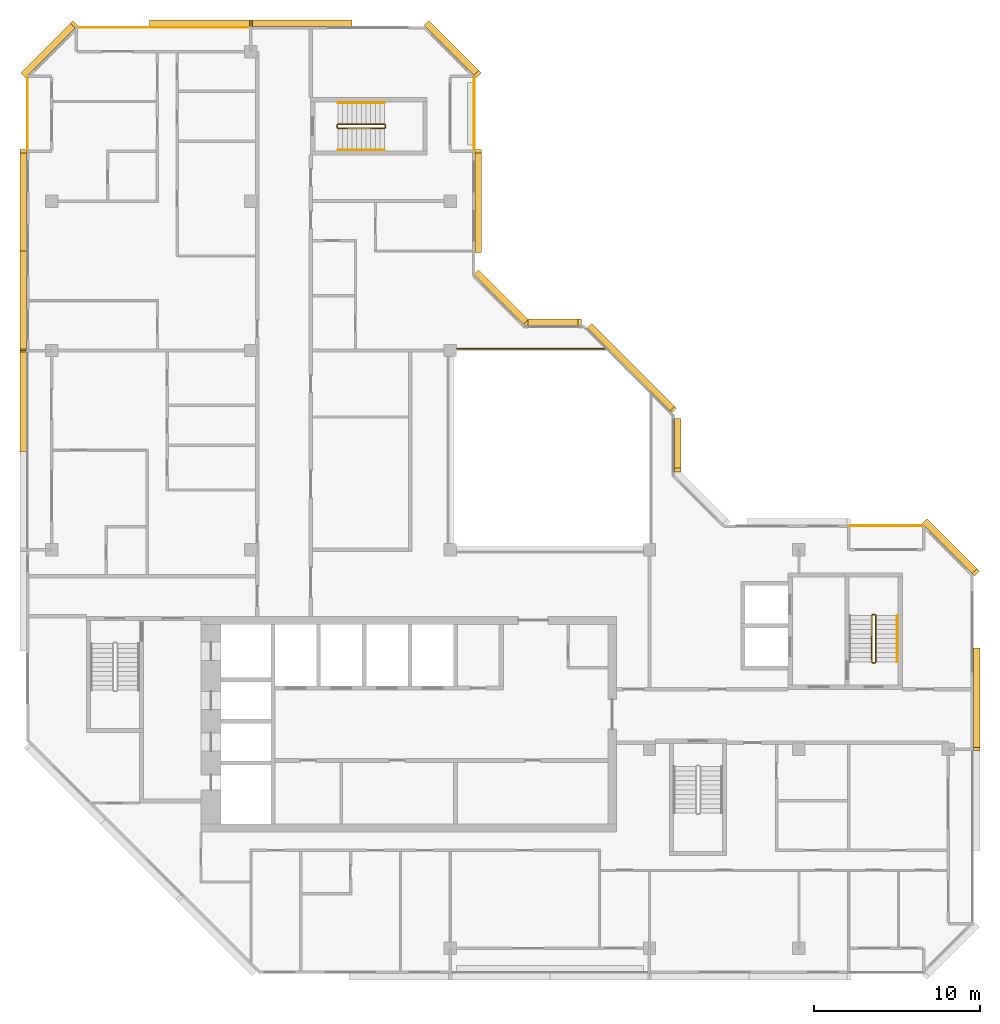
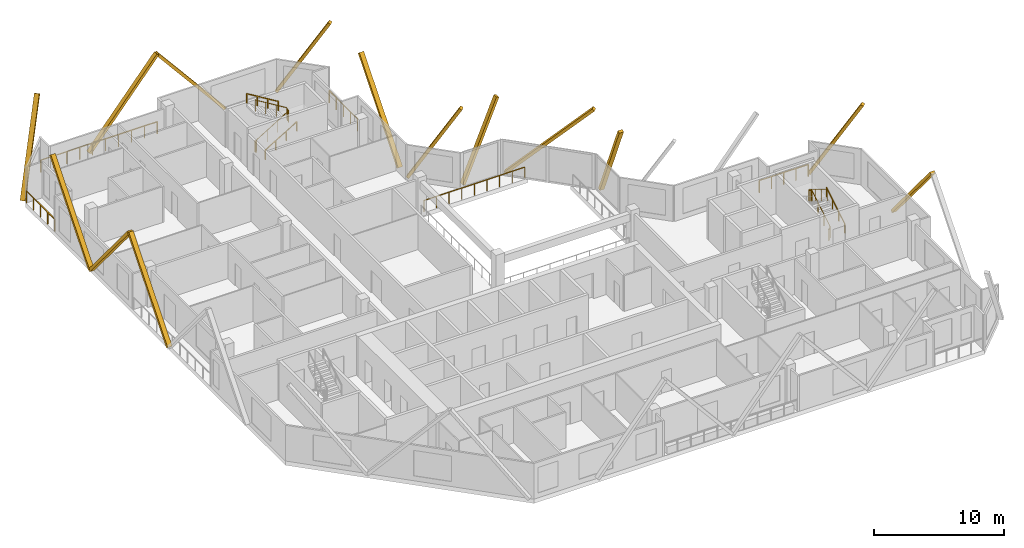
# One storey, part 12 of 12: 14 coverings, 10 railings.
"""IFC4 building model written with IfcOpenShell, lengths in metres."""

from ifc_helpers import new_model, si_unit, direction, frame, origin, origin_2d, place, context, subcontext, project, spatial, rectangle, extrude, material, material_profile, profile_set, type_object, element, save


model = new_model("IFC4")

# Units and contexts
model_context = context("Model", 3, precision=1e-05, world=origin(), true_north=direction((0.0, 1.0)))
body_context = subcontext(model_context, "Body", "Model", "MODEL_VIEW")
ifc_project = project(units=[si_unit("LENGTHUNIT", "METRE"), si_unit("AREAUNIT", "SQUARE_METRE"), si_unit("VOLUMEUNIT", "CUBIC_METRE"), si_unit("PLANEANGLEUNIT", "RADIAN"), si_unit("MASSUNIT", "GRAM", prefix="KILO")], contexts=[model_context])

# Site, building, storey
site_placement = place(None, origin())
site = spatial("IfcSite", under=ifc_project, at=site_placement, CompositionType="ELEMENT")
building_placement = place(site_placement, origin())
building = spatial("IfcBuilding", under=site, at=building_placement, Name="Chenar Terraces", CompositionType="ELEMENT")
storey_placement = place(building_placement, frame((0.0, 0.0, 368.89990234375)))
storey = spatial("IfcBuildingStorey", under=building, at=storey_placement, Name="L86", CompositionType="ELEMENT", Elevation=368.89990234375)

# Railings
ifc_material_1 = material(Name="Powder-coated steel", Category="steel")
railing_type_1 = type_object("IfcRailingType", Name="Guard 1100 steel rail with glass infill", PredefinedType="GUARDRAIL", material=ifc_material_1)
railing_1_placement = place(storey_placement, frame((24.425048828125, 36.10009765625, 0.0)))
element("IfcRailing", 1, at=railing_1_placement, inside=storey, type_object=railing_type_1, Name="Guard L86-2", PredefinedType="GUARDRAIL", context=body_context, shape_type="SweptSolid", body=[
    extrude(rectangle(XDim=0.06005859375, YDim=0.06005859375, at=origin_2d()), frame((0.0, 0.0, 1.070068359375), z_axis=(1.0, 0.0, 0.0), x_axis=(0.0, 1.0, 0.0)), (0.0, 0.0, 1.0), 8.974853515625),
    extrude(rectangle(XDim=0.050048828125, YDim=0.050048828125, at=origin_2d()), origin(), (0.0, 0.0, 1.0), 1.0400390625),
    extrude(rectangle(XDim=0.050048828125, YDim=0.050048828125, at=origin_2d()), frame((1.121826171875, 0.0, 0.0)), (0.0, 0.0, 1.0), 1.0400390625),
    extrude(rectangle(XDim=0.050048828125, YDim=0.050048828125, at=origin_2d()), frame((2.24365234375, 0.0, 0.0)), (0.0, 0.0, 1.0), 1.0400390625),
    extrude(rectangle(XDim=0.050048828125, YDim=0.050048828125, at=origin_2d()), frame((3.365478515625, 0.0, 0.0)), (0.0, 0.0, 1.0), 1.0400390625),
    extrude(rectangle(XDim=0.050048828125, YDim=0.050048828125, at=origin_2d()), frame((4.4873046875, 0.0, 0.0)), (0.0, 0.0, 1.0), 1.0400390625),
    extrude(rectangle(XDim=0.050048828125, YDim=0.050048828125, at=origin_2d()), frame((5.609375, 0.0, 0.0)), (0.0, 0.0, 1.0), 1.0400390625),
    extrude(rectangle(XDim=0.050048828125, YDim=0.050048828125, at=origin_2d()), frame((6.731201171875, 0.0, 0.0)), (0.0, 0.0, 1.0), 1.0400390625),
    extrude(rectangle(XDim=0.050048828125, YDim=0.050048828125, at=origin_2d()), frame((7.85302734375, 0.0, 0.0)), (0.0, 0.0, 1.0), 1.0400390625),
    extrude(rectangle(XDim=0.050048828125, YDim=0.050048828125, at=origin_2d()), frame((8.974853515625, 0.0, 0.0)), (0.0, 0.0, 1.0), 1.0400390625),
])
ifc_material_2 = material(Name="Stainless steel and glass", Category="steel")
railing_type_2 = type_object("IfcRailingType", Name="Loggia guard 1150", PredefinedType="GUARDRAIL", material=ifc_material_2)
railing_2_placement = place(storey_placement, frame((25.449951171875, 48.074951171875, 0.0)))
element("IfcRailing", 2, at=railing_2_placement, inside=storey, type_object=railing_type_2, Name="Loggia guard", PredefinedType="GUARDRAIL", context=body_context, shape_type="SweptSolid", body=[
    extrude(rectangle(XDim=0.048095703125, YDim=0.048095703125, at=origin_2d()), frame((0.0, 0.0, 1.1259765625), z_axis=(0.0, 1.0, 0.0), x_axis=(-1.0, 0.0, 0.0)), (0.0, 0.0, 1.0), 4.35009765625),
    extrude(rectangle(XDim=0.0419921875, YDim=0.0419921875, at=origin_2d()), origin(), (0.0, 0.0, 1.0), 1.101806640625),
    extrude(rectangle(XDim=0.0419921875, YDim=0.0419921875, at=origin_2d()), frame((0.0, 1.08740234375, 0.0)), (0.0, 0.0, 1.0), 1.101806640625),
    extrude(rectangle(XDim=0.0419921875, YDim=0.0419921875, at=origin_2d()), frame((0.0, 2.175048828125, 0.0)), (0.0, 0.0, 1.0), 1.101806640625),
    extrude(rectangle(XDim=0.0419921875, YDim=0.0419921875, at=origin_2d()), frame((0.0, 3.2626953125, 0.0)), (0.0, 0.0, 1.0), 1.101806640625),
    extrude(rectangle(XDim=0.0419921875, YDim=0.0419921875, at=origin_2d()), frame((0.0, 4.35009765625, 0.0)), (0.0, 0.0, 1.0), 1.101806640625),
])
railing_3_placement = place(storey_placement, frame((52.425048828125, 25.449951171875, 0.0)))
element("IfcRailing", 3, at=railing_3_placement, inside=storey, type_object=railing_type_2, Name="Loggia guard", PredefinedType="GUARDRAIL", context=body_context, shape_type="SweptSolid", body=[
    extrude(rectangle(XDim=0.048095703125, YDim=0.048095703125, at=origin_2d()), frame((0.0, 0.0, 1.1259765625), z_axis=(-1.0, 0.0, 0.0), x_axis=(0.0, -1.0, 0.0)), (0.0, 0.0, 1.0), 4.35009765625),
    extrude(rectangle(XDim=0.0419921875, YDim=0.0419921875, at=origin_2d()), origin(), (0.0, 0.0, 1.0), 1.101806640625),
    extrude(rectangle(XDim=0.0419921875, YDim=0.0419921875, at=origin_2d()), frame((-1.08740234375, 0.0, 0.0)), (0.0, 0.0, 1.0), 1.101806640625),
    extrude(rectangle(XDim=0.0419921875, YDim=0.0419921875, at=origin_2d()), frame((-2.175048828125, 0.0, 0.0)), (0.0, 0.0, 1.0), 1.101806640625),
    extrude(rectangle(XDim=0.0419921875, YDim=0.0419921875, at=origin_2d()), frame((-3.2626953125, 0.0, 0.0)), (0.0, 0.0, 1.0), 1.101806640625),
    extrude(rectangle(XDim=0.0419921875, YDim=0.0419921875, at=origin_2d()), frame((-4.35009765625, 0.0, 0.0)), (0.0, 0.0, 1.0), 1.101806640625),
])
railing_4_placement = place(storey_placement, frame((11.925048828125, 55.449951171875, 0.0)))
element("IfcRailing", 4, at=railing_4_placement, inside=storey, type_object=railing_type_2, Name="Loggia guard", PredefinedType="GUARDRAIL", context=body_context, shape_type="SweptSolid", body=[
    extrude(rectangle(XDim=0.048095703125, YDim=0.048095703125, at=origin_2d()), frame((0.0, 0.0, 1.1259765625), z_axis=(-1.0, 0.0, 0.0), x_axis=(0.0, -1.0, 0.0)), (0.0, 0.0, 1.0), 10.35009765625),
    extrude(rectangle(XDim=0.0419921875, YDim=0.0419921875, at=origin_2d()), origin(), (0.0, 0.0, 1.0), 1.101806640625),
    extrude(rectangle(XDim=0.0419921875, YDim=0.0419921875, at=origin_2d()), frame((-1.14990234375, 0.0, 0.0)), (0.0, 0.0, 1.0), 1.101806640625),
    extrude(rectangle(XDim=0.0419921875, YDim=0.0419921875, at=origin_2d()), frame((-2.300048828125, 0.0, 0.0)), (0.0, 0.0, 1.0), 1.101806640625),
    extrude(rectangle(XDim=0.0419921875, YDim=0.0419921875, at=origin_2d()), frame((-3.449951171875, 0.0, 0.0)), (0.0, 0.0, 1.0), 1.101806640625),
    extrude(rectangle(XDim=0.0419921875, YDim=0.0419921875, at=origin_2d()), frame((-4.60009765625, 0.0, 0.0)), (0.0, 0.0, 1.0), 1.101806640625),
    extrude(rectangle(XDim=0.0419921875, YDim=0.0419921875, at=origin_2d()), frame((-5.75, 0.0, 0.0)), (0.0, 0.0, 1.0), 1.101806640625),
    extrude(rectangle(XDim=0.0419921875, YDim=0.0419921875, at=origin_2d()), frame((-6.900146484375, 0.0, 0.0)), (0.0, 0.0, 1.0), 1.101806640625),
    extrude(rectangle(XDim=0.0419921875, YDim=0.0419921875, at=origin_2d()), frame((-8.050048828125, 0.0, 0.0)), (0.0, 0.0, 1.0), 1.101806640625),
    extrude(rectangle(XDim=0.0419921875, YDim=0.0419921875, at=origin_2d()), frame((-9.2001953125, 0.0, 0.0)), (0.0, 0.0, 1.0), 1.101806640625),
    extrude(rectangle(XDim=0.0419921875, YDim=0.0419921875, at=origin_2d()), frame((-10.35009765625, 0.0, 0.0)), (0.0, 0.0, 1.0), 1.101806640625),
])
railing_5_placement = place(storey_placement, frame((-1.449951171875, 52.425048828125, 0.0)))
element("IfcRailing", 5, at=railing_5_placement, inside=storey, type_object=railing_type_2, Name="Loggia guard", PredefinedType="GUARDRAIL", context=body_context, shape_type="SweptSolid", body=[
    extrude(rectangle(XDim=0.048095703125, YDim=0.048095703125, at=origin_2d()), frame((0.0, 0.0, 1.1259765625), z_axis=(0.0, -1.0, 0.0), x_axis=(1.0, 0.0, 0.0)), (0.0, 0.0, 1.0), 4.35009765625),
    extrude(rectangle(XDim=0.0419921875, YDim=0.0419921875, at=origin_2d()), origin(), (0.0, 0.0, 1.0), 1.101806640625),
    extrude(rectangle(XDim=0.0419921875, YDim=0.0419921875, at=origin_2d()), frame((0.0, -1.08740234375, 0.0)), (0.0, 0.0, 1.0), 1.101806640625),
    extrude(rectangle(XDim=0.0419921875, YDim=0.0419921875, at=origin_2d()), frame((0.0, -2.175048828125, 0.0)), (0.0, 0.0, 1.0), 1.101806640625),
    extrude(rectangle(XDim=0.0419921875, YDim=0.0419921875, at=origin_2d()), frame((0.0, -3.2626953125, 0.0)), (0.0, 0.0, 1.0), 1.101806640625),
    extrude(rectangle(XDim=0.0419921875, YDim=0.0419921875, at=origin_2d()), frame((0.0, -4.35009765625, 0.0)), (0.0, 0.0, 1.0), 1.101806640625),
])
ifc_material_3 = material(Name="Powder-coated steel", Category="steel")
railing_type_3 = type_object("IfcRailingType", Name="Stair guard 1100", PredefinedType="GUARDRAIL", material=ifc_material_3)
railing_6_placement = place(storey_placement, frame((49.375, 17.25, 3.75)))
element("IfcRailing", 6, at=railing_6_placement, inside=storey, type_object=railing_type_3, Name="L86 ST3 stair guard 1", PredefinedType="GUARDRAIL", context=body_context, shape_type="SweptSolid", body=[
    extrude(rectangle(XDim=0.048095703125, YDim=0.048095703125, at=origin_2d()), frame((0.0, 0.0, 1.076171875), z_axis=(0.0, 0.854202870247, -0.519939858505), x_axis=(-1.0, 0.0, 0.0)), (0.0, 0.0, 1.0), 3.278076171875),
    extrude(rectangle(XDim=0.048095703125, YDim=0.048095703125, at=origin_2d()), frame((0.0, 2.800048828125, -0.62841796875), z_axis=(0.270899902878, 0.270899902878, -0.923702595667), x_axis=(-0.707106781187, 0.707106781187, 0.0)), (0.0, 0.0, 1.0), 0.184814453125),
    extrude(rectangle(XDim=0.048095703125, YDim=0.048095703125, at=origin_2d()), frame((0.050048828125, 2.85009765625, -0.798828125), z_axis=(1.0, 0.0, 0.0), x_axis=(0.0, 1.0, 0.0)), (0.0, 0.0, 1.0), 0.14990234375),
    extrude(rectangle(XDim=0.048095703125, YDim=0.048095703125, at=origin_2d()), frame((0.199951171875, 2.85009765625, -0.798828125), z_axis=(0.707106781187, -0.707106781187, 0.0), x_axis=(0.707106781187, 0.707106781187, 0.0)), (0.0, 0.0, 1.0), 0.07080078125),
    extrude(rectangle(XDim=0.048095703125, YDim=0.048095703125, at=origin_2d()), frame((0.25, 2.800048828125, -0.798828125), z_axis=(0.0, -0.854202870247, -0.519939858505), x_axis=(1.0, 0.0, 0.0)), (0.0, 0.0, 1.0), 3.278076171875),
    extrude(rectangle(XDim=0.048095703125, YDim=0.048095703125, at=origin_2d()), frame((0.25, 0.0, -2.50341796875), z_axis=(-0.270899902878, -0.270899902878, -0.923702595667), x_axis=(0.707106781187, -0.707106781187, 0.0)), (0.0, 0.0, 1.0), 0.184814453125),
    extrude(rectangle(XDim=0.048095703125, YDim=0.048095703125, at=origin_2d()), frame((0.199951171875, -0.050048828125, -2.673828125), z_axis=(-1.0, 0.0, 0.0), x_axis=(0.0, -1.0, 0.0)), (0.0, 0.0, 1.0), 0.14990234375),
    extrude(rectangle(XDim=0.0419921875, YDim=0.0419921875, at=origin_2d()), origin(), (0.0, 0.0, 1.0), 1.052001953125),
    extrude(rectangle(XDim=0.0419921875, YDim=0.0419921875, at=origin_2d()), frame((0.0, 0.933349609375, -0.568115234375)), (0.0, 0.0, 1.0), 1.052001953125),
    extrude(rectangle(XDim=0.0419921875, YDim=0.0419921875, at=origin_2d()), frame((0.0, 1.86669921875, -1.13623046875)), (0.0, 0.0, 1.0), 1.052001953125),
    extrude(rectangle(XDim=0.0419921875, YDim=0.0419921875, at=origin_2d()), frame((0.0, 2.800048828125, -1.704345703125)), (0.0, 0.0, 1.0), 1.052001953125),
    extrude(rectangle(XDim=0.0419921875, YDim=0.0419921875, at=origin_2d()), frame((0.050048828125, 2.85009765625, -1.875)), (0.0, 0.0, 1.0), 1.052001953125),
    extrude(rectangle(XDim=0.0419921875, YDim=0.0419921875, at=origin_2d()), frame((0.199951171875, 2.85009765625, -1.875)), (0.0, 0.0, 1.0), 1.052001953125),
    extrude(rectangle(XDim=0.0419921875, YDim=0.0419921875, at=origin_2d()), frame((0.25, 2.800048828125, -1.875)), (0.0, 0.0, 1.0), 1.052001953125),
    extrude(rectangle(XDim=0.0419921875, YDim=0.0419921875, at=origin_2d()), frame((0.25, 1.86669921875, -2.443115234375)), (0.0, 0.0, 1.0), 1.052001953125),
    extrude(rectangle(XDim=0.0419921875, YDim=0.0419921875, at=origin_2d()), frame((0.25, 0.933349609375, -3.01123046875)), (0.0, 0.0, 1.0), 1.052001953125),
    extrude(rectangle(XDim=0.0419921875, YDim=0.0419921875, at=origin_2d()), frame((0.25, 0.0, -3.579345703125)), (0.0, 0.0, 1.0), 1.052001953125),
    extrude(rectangle(XDim=0.0419921875, YDim=0.0419921875, at=origin_2d()), frame((0.199951171875, -0.050048828125, -3.75)), (0.0, 0.0, 1.0), 1.052001953125),
    extrude(rectangle(XDim=0.0419921875, YDim=0.0419921875, at=origin_2d()), frame((0.050048828125, -0.050048828125, -3.75)), (0.0, 0.0, 1.0), 1.052001953125),
])
railing_7_placement = place(storey_placement, frame((17.25, 49.625, 3.75)))
element("IfcRailing", 7, at=railing_7_placement, inside=storey, type_object=railing_type_3, Name="L86 ST4 stair guard 1", PredefinedType="GUARDRAIL", context=body_context, shape_type="SweptSolid", body=[
    extrude(rectangle(XDim=0.048095703125, YDim=0.048095703125, at=origin_2d()), frame((0.0, 0.0, 1.076171875), z_axis=(0.854202870247, 0.0, -0.519939858505), x_axis=(0.0, 1.0, 0.0)), (0.0, 0.0, 1.0), 3.278076171875),
    extrude(rectangle(XDim=0.048095703125, YDim=0.048095703125, at=origin_2d()), frame((2.800048828125, 0.0, -0.62841796875), z_axis=(0.270899902878, -0.270899902878, -0.923702595667), x_axis=(0.707106781187, 0.707106781187, 0.0)), (0.0, 0.0, 1.0), 0.184814453125),
    extrude(rectangle(XDim=0.048095703125, YDim=0.048095703125, at=origin_2d()), frame((2.85009765625, -0.050048828125, -0.798828125), z_axis=(0.0, -1.0, 0.0), x_axis=(1.0, 0.0, 0.0)), (0.0, 0.0, 1.0), 0.14990234375),
    extrude(rectangle(XDim=0.048095703125, YDim=0.048095703125, at=origin_2d()), frame((2.85009765625, -0.199951171875, -0.798828125), z_axis=(-0.707106781187, -0.707106781187, 0.0), x_axis=(0.707106781187, -0.707106781187, 0.0)), (0.0, 0.0, 1.0), 0.07080078125),
    extrude(rectangle(XDim=0.048095703125, YDim=0.048095703125, at=origin_2d()), frame((2.800048828125, -0.25, -0.798828125), z_axis=(-0.854202870247, 0.0, -0.519939858505), x_axis=(0.0, -1.0, 0.0)), (0.0, 0.0, 1.0), 3.278076171875),
    extrude(rectangle(XDim=0.048095703125, YDim=0.048095703125, at=origin_2d()), frame((0.0, -0.25, -2.50341796875), z_axis=(-0.270899902878, 0.270899902878, -0.923702595667), x_axis=(-0.707106781187, -0.707106781187, 0.0)), (0.0, 0.0, 1.0), 0.184814453125),
    extrude(rectangle(XDim=0.048095703125, YDim=0.048095703125, at=origin_2d()), frame((-0.050048828125, -0.199951171875, -2.673828125), z_axis=(0.0, 1.0, 0.0), x_axis=(-1.0, 0.0, 0.0)), (0.0, 0.0, 1.0), 0.14990234375),
    extrude(rectangle(XDim=0.0419921875, YDim=0.0419921875, at=origin_2d()), origin(), (0.0, 0.0, 1.0), 1.052001953125),
    extrude(rectangle(XDim=0.0419921875, YDim=0.0419921875, at=origin_2d()), frame((0.933349609375, 0.0, -0.568115234375)), (0.0, 0.0, 1.0), 1.052001953125),
    extrude(rectangle(XDim=0.0419921875, YDim=0.0419921875, at=origin_2d()), frame((1.86669921875, 0.0, -1.13623046875)), (0.0, 0.0, 1.0), 1.052001953125),
    extrude(rectangle(XDim=0.0419921875, YDim=0.0419921875, at=origin_2d()), frame((2.800048828125, 0.0, -1.704345703125)), (0.0, 0.0, 1.0), 1.052001953125),
    extrude(rectangle(XDim=0.0419921875, YDim=0.0419921875, at=origin_2d()), frame((2.85009765625, -0.050048828125, -1.875)), (0.0, 0.0, 1.0), 1.052001953125),
    extrude(rectangle(XDim=0.0419921875, YDim=0.0419921875, at=origin_2d()), frame((2.85009765625, -0.199951171875, -1.875)), (0.0, 0.0, 1.0), 1.052001953125),
    extrude(rectangle(XDim=0.0419921875, YDim=0.0419921875, at=origin_2d()), frame((2.800048828125, -0.25, -1.875)), (0.0, 0.0, 1.0), 1.052001953125),
    extrude(rectangle(XDim=0.0419921875, YDim=0.0419921875, at=origin_2d()), frame((1.86669921875, -0.25, -2.443115234375)), (0.0, 0.0, 1.0), 1.052001953125),
    extrude(rectangle(XDim=0.0419921875, YDim=0.0419921875, at=origin_2d()), frame((0.933349609375, -0.25, -3.01123046875)), (0.0, 0.0, 1.0), 1.052001953125),
    extrude(rectangle(XDim=0.0419921875, YDim=0.0419921875, at=origin_2d()), frame((0.0, -0.25, -3.579345703125)), (0.0, 0.0, 1.0), 1.052001953125),
    extrude(rectangle(XDim=0.0419921875, YDim=0.0419921875, at=origin_2d()), frame((-0.050048828125, -0.199951171875, -3.75)), (0.0, 0.0, 1.0), 1.052001953125),
    extrude(rectangle(XDim=0.0419921875, YDim=0.0419921875, at=origin_2d()), frame((-0.050048828125, -0.050048828125, -3.75)), (0.0, 0.0, 1.0), 1.052001953125),
])
ifc_material_4 = material(Name="Powder-coated steel", Category="steel")
railing_type_4 = type_object("IfcRailingType", Name="Stair handrail 900", PredefinedType="HANDRAIL", material=ifc_material_4)
railing_8_placement = place(storey_placement, frame((50.925048828125, 17.25, 0.170654296875)))
element("IfcRailing", 8, at=railing_8_placement, inside=storey, type_object=railing_type_4, Name="L86 ST3 stair handrail 1", PredefinedType="HANDRAIL", context=body_context, shape_type="SweptSolid", body=[
    extrude(rectangle(XDim=0.048095703125, YDim=0.048095703125, at=origin_2d()), frame((0.0, 0.0, 0.8759765625), z_axis=(0.0, 0.854202870247, 0.519939858505), x_axis=(-1.0, 0.0, 0.0)), (0.0, 0.0, 1.0), 3.278076171875),
    extrude(rectangle(XDim=0.0419921875, YDim=0.0419921875, at=origin_2d()), origin(), (0.0, 0.0, 1.0), 0.851806640625),
    extrude(rectangle(XDim=0.0419921875, YDim=0.0419921875, at=origin_2d()), frame((0.0, 0.933349609375, 0.568115234375)), (0.0, 0.0, 1.0), 0.851806640625),
    extrude(rectangle(XDim=0.0419921875, YDim=0.0419921875, at=origin_2d()), frame((0.0, 1.86669921875, 1.13623046875)), (0.0, 0.0, 1.0), 0.851806640625),
    extrude(rectangle(XDim=0.0419921875, YDim=0.0419921875, at=origin_2d()), frame((0.0, 2.800048828125, 1.704345703125)), (0.0, 0.0, 1.0), 0.851806640625),
])
railing_9_placement = place(storey_placement, frame((17.25, 48.074951171875, 0.170654296875)))
element("IfcRailing", 9, at=railing_9_placement, inside=storey, type_object=railing_type_4, Name="L86 ST4 stair handrail 1", PredefinedType="HANDRAIL", context=body_context, shape_type="SweptSolid", body=[
    extrude(rectangle(XDim=0.048095703125, YDim=0.048095703125, at=origin_2d()), frame((0.0, 0.0, 0.8759765625), z_axis=(0.854202870247, 0.0, 0.519939858505), x_axis=(0.0, 1.0, 0.0)), (0.0, 0.0, 1.0), 3.278076171875),
    extrude(rectangle(XDim=0.0419921875, YDim=0.0419921875, at=origin_2d()), origin(), (0.0, 0.0, 1.0), 0.851806640625),
    extrude(rectangle(XDim=0.0419921875, YDim=0.0419921875, at=origin_2d()), frame((0.933349609375, 0.0, 0.568115234375)), (0.0, 0.0, 1.0), 0.851806640625),
    extrude(rectangle(XDim=0.0419921875, YDim=0.0419921875, at=origin_2d()), frame((1.86669921875, 0.0, 1.13623046875)), (0.0, 0.0, 1.0), 0.851806640625),
    extrude(rectangle(XDim=0.0419921875, YDim=0.0419921875, at=origin_2d()), frame((2.800048828125, 0.0, 1.704345703125)), (0.0, 0.0, 1.0), 0.851806640625),
])
railing_10_placement = place(storey_placement, frame((20.050048828125, 50.925048828125, 2.045654296875)))
element("IfcRailing", 10, at=railing_10_placement, inside=storey, type_object=railing_type_4, Name="L86 ST4 stair handrail 2", PredefinedType="HANDRAIL", context=body_context, shape_type="SweptSolid", body=[
    extrude(rectangle(XDim=0.048095703125, YDim=0.048095703125, at=origin_2d()), frame((0.0, 0.0, 0.8759765625), z_axis=(-0.854202870247, 0.0, 0.519939858505), x_axis=(0.0, -1.0, 0.0)), (0.0, 0.0, 1.0), 3.278076171875),
    extrude(rectangle(XDim=0.0419921875, YDim=0.0419921875, at=origin_2d()), origin(), (0.0, 0.0, 1.0), 0.851806640625),
    extrude(rectangle(XDim=0.0419921875, YDim=0.0419921875, at=origin_2d()), frame((-0.933349609375, 0.0, 0.568115234375)), (0.0, 0.0, 1.0), 0.851806640625),
    extrude(rectangle(XDim=0.0419921875, YDim=0.0419921875, at=origin_2d()), frame((-1.86669921875, 0.0, 1.13623046875)), (0.0, 0.0, 1.0), 0.851806640625),
    extrude(rectangle(XDim=0.0419921875, YDim=0.0419921875, at=origin_2d()), frame((-2.800048828125, 0.0, 1.704345703125)), (0.0, 0.0, 1.0), 0.851806640625),
])

# Coverings
ifc_material_5 = material(Name="Terracotta", Category="masonry")
ifc_material_profile = material_profile(ifc_material_5, rectangle(XDim=0.39990234375, YDim=0.25, at=origin_2d()), Name="Terracotta baguette 400 x 250")
ifc_profile_set = profile_set([ifc_material_profile], Name="Terracotta")
covering_type = type_object("IfcCoveringType", Name="Terracotta baguette 400 x 250", PredefinedType="CLADDING", material=ifc_profile_set)
covering_1_placement = place(storey_placement, frame((37.699951171875, 28.800048828125, 7.35009765625), z_axis=(0.0, 0.384617607118, -0.923075997031), x_axis=(-1.0, 0.0, 0.0)))
element("IfcCovering", 11, at=covering_1_placement, inside=storey, type_object=covering_type, Name="Terracotta baguette", PredefinedType="CLADDING", context=body_context, shape_type="SweptSolid", body=[
    extrude(rectangle(XDim=0.39990234375, YDim=0.25, at=origin_2d()), origin(), (0.0, 0.0, 1.0), 7.800048828125),
])
covering_2_placement = place(storey_placement, frame((37.42919921875, 32.45361328125, 7.35009765625), z_axis=(-0.494222393737, 0.4942466441, -0.715167449151), x_axis=(-0.707124128605, -0.707089433343, 0.0)))
element("IfcCovering", 12, at=covering_2_placement, inside=storey, type_object=covering_type, Name="Terracotta baguette", PredefinedType="CLADDING", context=body_context, shape_type="SweptSolid", body=[
    extrude(rectangle(XDim=0.39990234375, YDim=0.25, at=origin_2d()), origin(), (0.0, 0.0, 1.0), 10.0673828125),
])
covering_3_placement = place(storey_placement, frame((31.800048828125, 37.699951171875, 7.35009765625), z_axis=(-0.384617607118, 0.0, -0.923075997031), x_axis=(0.0, -1.0, 0.0)))
element("IfcCovering", 13, at=covering_3_placement, inside=storey, type_object=covering_type, Name="Terracotta baguette", PredefinedType="CLADDING", context=body_context, shape_type="SweptSolid", body=[
    extrude(rectangle(XDim=0.39990234375, YDim=0.25, at=origin_2d()), origin(), (0.0, 0.0, 1.0), 7.800048828125),
])
covering_4_placement = place(storey_placement, frame((28.641357421875, 37.641357421875, 7.35009765625), z_axis=(-0.358980886355, 0.358980886355, -0.861548284464), x_axis=(-0.707106781187, -0.707106781187, 0.0)))
element("IfcCovering", 14, at=covering_4_placement, inside=storey, type_object=covering_type, Name="Terracotta baguette", PredefinedType="CLADDING", context=body_context, shape_type="SweptSolid", body=[
    extrude(rectangle(XDim=0.39990234375, YDim=0.25, at=origin_2d()), origin(), (0.0, 0.0, 1.0), 8.35693359375),
])
covering_5_placement = place(storey_placement, frame((25.699951171875, 42.0, 0.150146484375), z_axis=(0.0, 0.640186961885, 0.768219144407), x_axis=(-1.0, 0.0, 0.0)))
element("IfcCovering", 15, at=covering_5_placement, inside=storey, type_object=covering_type, Name="Terracotta baguette", PredefinedType="CLADDING", context=body_context, shape_type="SweptSolid", body=[
    extrude(rectangle(XDim=0.39990234375, YDim=0.25, at=origin_2d()), origin(), (0.0, 0.0, 1.0), 9.372314453125),
])
covering_6_placement = place(storey_placement, frame((25.641357421875, 52.641357421875, 7.35009765625), z_axis=(-0.358980886355, 0.358980886355, -0.861548284464), x_axis=(-0.707106781187, -0.707106781187, 0.0)))
element("IfcCovering", 16, at=covering_6_placement, inside=storey, type_object=covering_type, Name="Terracotta baguette", PredefinedType="CLADDING", context=body_context, shape_type="SweptSolid", body=[
    extrude(rectangle(XDim=0.39990234375, YDim=0.25, at=origin_2d()), origin(), (0.0, 0.0, 1.0), 8.35693359375),
])
for number, where, z_axis, x_axis, name in (
    (17, (18.0, 55.699951171875, 0.150146484375), (-0.640186961885, 0.0, 0.768219144407), (0.0, -1.0, 0.0), "Terracotta baguette"),
    (18, (12.0, 55.699951171875, 7.35009765625), (-0.640186961885, 0.0, -0.768219144407), (0.0, -1.0, 0.0), "Terracotta baguette"),
):
    element("IfcCovering", number, at=place(storey_placement, frame(where, z_axis=z_axis, x_axis=x_axis)), inside=storey, type_object=covering_type, Name=name, PredefinedType="CLADDING", context=body_context, shape_type="SweptSolid", body=[
        extrude(rectangle(XDim=0.39990234375, YDim=0.25, at=origin_2d()), origin(), (0.0, 0.0, 1.0), 9.372314453125),
    ])
covering_7_placement = place(storey_placement, frame((1.358642578125, 55.641357421875, 7.35009765625), z_axis=(-0.358980886355, -0.358980886355, -0.861548284464), x_axis=(0.707106781187, -0.707106781187, 0.0)))
element("IfcCovering", 19, at=covering_7_placement, inside=storey, type_object=covering_type, Name="Terracotta baguette", PredefinedType="CLADDING", context=body_context, shape_type="SweptSolid", body=[
    extrude(rectangle(XDim=0.39990234375, YDim=0.25, at=origin_2d()), origin(), (0.0, 0.0, 1.0), 8.35693359375),
])
for number, where, z_axis, x_axis, name in (
    (20, (-1.699951171875, 48.0, 7.35009765625), (0.0, -0.640186961885, -0.768219144407), (1.0, 0.0, 0.0), "Terracotta baguette"),
    (21, (-1.699951171875, 42.0, 0.150146484375), (0.0, -0.640186961885, 0.768219144407), (1.0, 0.0, 0.0), "Terracotta baguette"),
    (22, (-1.699951171875, 36.0, 7.35009765625), (0.0, -0.640186961885, -0.768219144407), (1.0, 0.0, 0.0), "Terracotta baguette"),
    (23, (55.699951171875, 12.0, 7.35009765625), (0.0, 0.640186961885, -0.768219144407), (-1.0, 0.0, 0.0), "Terracotta baguette"),
):
    element("IfcCovering", number, at=place(storey_placement, frame(where, z_axis=z_axis, x_axis=x_axis)), inside=storey, type_object=covering_type, Name=name, PredefinedType="CLADDING", context=body_context, shape_type="SweptSolid", body=[
        extrude(rectangle(XDim=0.39990234375, YDim=0.25, at=origin_2d()), origin(), (0.0, 0.0, 1.0), 9.372314453125),
    ])
covering_8_placement = place(storey_placement, frame((55.641357421875, 22.641357421875, 7.35009765625), z_axis=(-0.358980886355, 0.358980886355, -0.861548284464), x_axis=(-0.707106781187, -0.707106781187, 0.0)))
element("IfcCovering", 24, at=covering_8_placement, inside=storey, type_object=covering_type, Name="Terracotta baguette", PredefinedType="CLADDING", context=body_context, shape_type="SweptSolid", body=[
    extrude(rectangle(XDim=0.39990234375, YDim=0.25, at=origin_2d()), origin(), (0.0, 0.0, 1.0), 8.35693359375),
])

save(model, "model.ifc")
